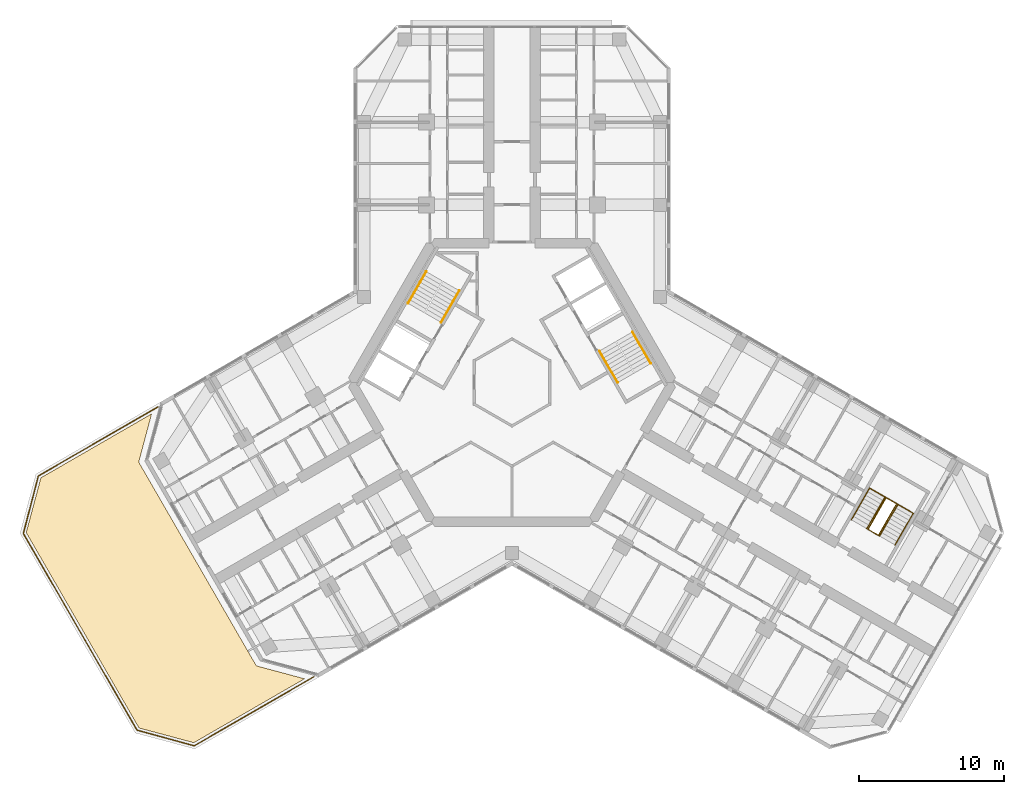
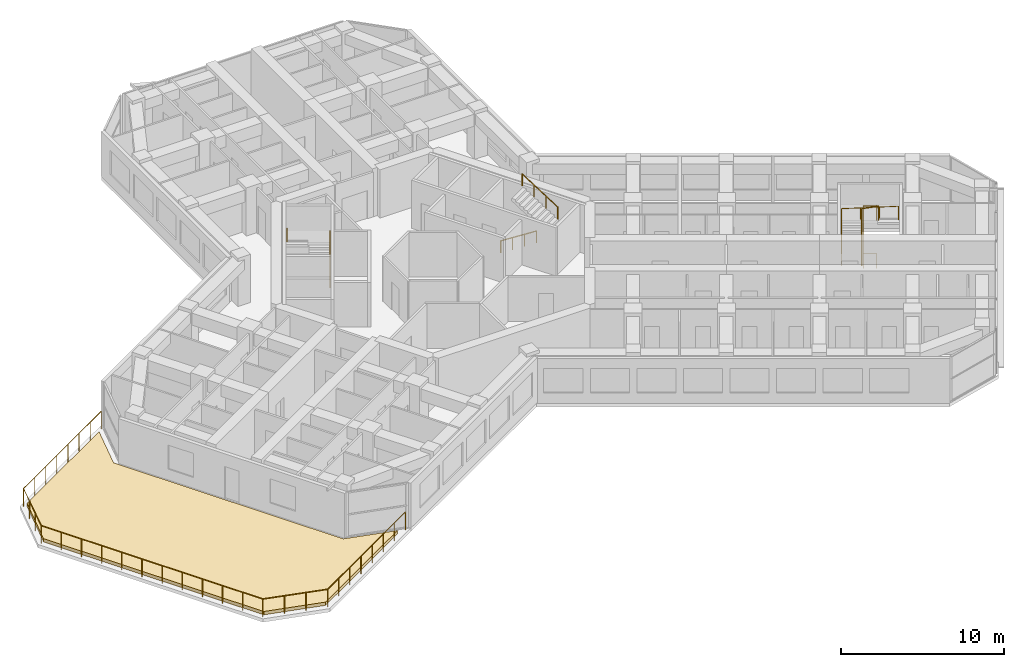
# One storey, part 17 of 17: 8 railings, 1 covering.
"""IFC4 building model written with IfcOpenShell, lengths in metres."""

from ifc_helpers import new_model, si_unit, direction, frame, origin, origin_2d, place, context, subcontext, project, spatial, polyline, circle, outline, extrude, material, layer, layer_set, type_object, element, save


model = new_model("IFC4")

# Units and contexts
model_context = context("Model", 3, precision=1e-05, world=origin(), true_north=direction((0.0, 1.0)))
body_context = subcontext(model_context, "Body", "Model", "MODEL_VIEW")
ifc_project = project(units=[si_unit("LENGTHUNIT", "METRE"), si_unit("AREAUNIT", "SQUARE_METRE"), si_unit("VOLUMEUNIT", "CUBIC_METRE"), si_unit("PLANEANGLEUNIT", "RADIAN"), si_unit("MASSUNIT", "GRAM", prefix="KILO")], contexts=[model_context])

# Site, building, storey
site_placement = place(None, origin())
site = spatial("IfcSite", under=ifc_project, at=site_placement, CompositionType="ELEMENT")
building_placement = place(site_placement, origin())
building = spatial("IfcBuilding", under=site, at=building_placement, Name="Kosmar Iwan School Tower", CompositionType="ELEMENT")
storey_placement = place(building_placement, frame((0.0, 0.0, 193.800048828125)))
storey = spatial("IfcBuildingStorey", under=building, at=storey_placement, Name="L48", CompositionType="ELEMENT", Elevation=193.800048828125)

# Covering
ifc_material_1 = material(Name="Insulated roofing membrane")
ifc_layer = layer(ifc_material_1, 0.25)
ifc_layer_set = layer_set([ifc_layer], Name="Roof membrane and insulation")
covering_type = type_object("IfcCoveringType", Name="Roof membrane and insulation", PredefinedType="ROOFING", material=ifc_layer_set)
covering_placement = place(storey_placement, origin())
element("IfcCovering", 1, at=covering_placement, inside=storey, type_object=covering_type, Name="Maintenance roof paving and insulation wing B", PredefinedType="ROOFING", context=body_context, shape_type="SweptSolid", body=[
    extrude(outline(polyline([(-21.947998046875, -24.853759765625), (-14.310791015625, -20.4443359375), (-17.635986328125, -19.553466796875), (-25.751708984375, -5.49658203125), (-24.86083984375, -2.17138671875), (-32.497802734375, -6.58056640625), (-33.51025390625, -10.358642578125), (-25.725830078125, -23.84130859375), (-21.947998046875, -24.853759765625)])), origin(), (0.0, 0.0, 1.0), 0.25),
])

# Railings
ifc_material_2 = material(Name="Black steel", Category="steel")
railing_type_1 = type_object("IfcRailingType", Name="Stair handrail 900", PredefinedType="HANDRAIL", material=ifc_material_2)
railing_1_placement = place(storey_placement, frame((-4.89453125, 4.142333984375, 0.179931640625)))
element("IfcRailing", 2, at=railing_1_placement, inside=storey, type_object=railing_type_1, Name="Handrail ST2 flight 1", PredefinedType="HANDRAIL", context=body_context, shape_type="SweptSolid", body=[
    extrude(circle(Radius=0.02392578125, at=origin_2d()), frame((0.0, 0.0, 0.8759765625), z_axis=(0.420584145978, 0.728463801763, 0.540785970299), x_axis=(-0.866022637375, 0.500004791531, 0.0)), (0.0, 0.0, 1.0), 2.995849609375),
    extrude(circle(Radius=0.02099609375, at=origin_2d()), origin(), (0.0, 0.0, 1.0), 0.851806640625),
    extrude(circle(Radius=0.02099609375, at=origin_2d()), frame((0.419921875, 0.7275390625, 0.5400390625)), (0.0, 0.0, 1.0), 0.851806640625),
    extrude(circle(Radius=0.02099609375, at=origin_2d()), frame((0.840087890625, 1.454833984375, 1.080078125)), (0.0, 0.0, 1.0), 0.851806640625),
    extrude(circle(Radius=0.02099609375, at=origin_2d()), frame((1.260009765625, 2.182373046875, 1.6201171875)), (0.0, 0.0, 1.0), 0.851806640625),
])
railing_2_placement = place(storey_placement, frame((-5.912353515625, 7.6396484375, 1.97998046875)))
element("IfcRailing", 3, at=railing_2_placement, inside=storey, type_object=railing_type_1, Name="Handrail ST2 flight 2", PredefinedType="HANDRAIL", context=body_context, shape_type="SweptSolid", body=[
    extrude(circle(Radius=0.02392578125, at=origin_2d()), frame((0.0, 0.0, 0.8759765625), z_axis=(-0.42060268101, -0.72849590497, 0.54072830624), x_axis=(0.866022637375, -0.500004791531, 0.0)), (0.0, 0.0, 1.0), 2.99560546875),
    extrude(circle(Radius=0.02099609375, at=origin_2d()), origin(), (0.0, 0.0, 1.0), 0.851806640625),
    extrude(circle(Radius=0.02099609375, at=origin_2d()), frame((-0.419921875, -0.7275390625, 0.5400390625)), (0.0, 0.0, 1.0), 0.851806640625),
    extrude(circle(Radius=0.02099609375, at=origin_2d()), frame((-0.840087890625, -1.454833984375, 1.079833984375)), (0.0, 0.0, 1.0), 0.851806640625),
    extrude(circle(Radius=0.02099609375, at=origin_2d()), frame((-1.260009765625, -2.182373046875, 1.619873046875)), (0.0, 0.0, 1.0), 0.851806640625),
])
railing_3_placement = place(storey_placement, frame((6.03466796875, 2.167724609375, 0.179931640625)))
element("IfcRailing", 4, at=railing_3_placement, inside=storey, type_object=railing_type_1, Name="Handrail ST1 flight 1", PredefinedType="HANDRAIL", context=body_context, shape_type="SweptSolid", body=[
    extrude(circle(Radius=0.02392578125, at=origin_2d()), frame((0.0, 0.0, 0.8759765625), z_axis=(0.420584145978, -0.728463801763, 0.540785970299), x_axis=(0.866022637375, 0.500004791531, 0.0)), (0.0, 0.0, 1.0), 2.995849609375),
    extrude(circle(Radius=0.02099609375, at=origin_2d()), origin(), (0.0, 0.0, 1.0), 0.851806640625),
    extrude(circle(Radius=0.02099609375, at=origin_2d()), frame((0.419921875, -0.7275390625, 0.5400390625)), (0.0, 0.0, 1.0), 0.851806640625),
    extrude(circle(Radius=0.02099609375, at=origin_2d()), frame((0.840087890625, -1.454833984375, 1.080078125)), (0.0, 0.0, 1.0), 0.851806640625),
    extrude(circle(Radius=0.02099609375, at=origin_2d()), frame((1.260009765625, -2.182373046875, 1.6201171875)), (0.0, 0.0, 1.0), 0.851806640625),
])
railing_4_placement = place(storey_placement, frame((9.572265625, 1.30029296875, 1.97998046875)))
element("IfcRailing", 5, at=railing_4_placement, inside=storey, type_object=railing_type_1, Name="Handrail ST1 flight 2", PredefinedType="HANDRAIL", context=body_context, shape_type="SweptSolid", body=[
    extrude(circle(Radius=0.02392578125, at=origin_2d()), frame((0.0, 0.0, 0.8759765625), z_axis=(-0.42060268101, 0.72849590497, 0.54072830624), x_axis=(-0.866022637375, -0.500004791531, 0.0)), (0.0, 0.0, 1.0), 2.99560546875),
    extrude(circle(Radius=0.02099609375, at=origin_2d()), origin(), (0.0, 0.0, 1.0), 0.851806640625),
    extrude(circle(Radius=0.02099609375, at=origin_2d()), frame((-0.419921875, 0.7275390625, 0.5400390625)), (0.0, 0.0, 1.0), 0.851806640625),
    extrude(circle(Radius=0.02099609375, at=origin_2d()), frame((-0.840087890625, 1.454833984375, 1.079833984375)), (0.0, 0.0, 1.0), 0.851806640625),
    extrude(circle(Radius=0.02099609375, at=origin_2d()), frame((-1.260009765625, 2.182373046875, 1.619873046875)), (0.0, 0.0, 1.0), 0.851806640625),
])
railing_5_placement = place(storey_placement, frame((23.4091796875, -9.473876953125, 0.179931640625)))
element("IfcRailing", 6, at=railing_5_placement, inside=storey, type_object=railing_type_1, Name="Handrail stair WS3 L48 wall side", PredefinedType="HANDRAIL", context=body_context, shape_type="SweptSolid", body=[
    extrude(circle(Radius=0.02392578125, at=origin_2d()), frame((0.0, 0.0, 0.8759765625), z_axis=(0.420584145978, 0.728463801763, 0.540785970299), x_axis=(-0.866022637375, 0.500004791531, 0.0)), (0.0, 0.0, 1.0), 2.995849609375),
    extrude(circle(Radius=0.02392578125, at=origin_2d()), frame((1.260009765625, 2.182373046875, 2.49609375), z_axis=(0.864882007433, -0.499312601618, 0.051633701051), x_axis=(0.499979528911, 0.866037222451, 0.0)), (0.0, 0.0, 1.0), 3.48486328125),
    extrude(circle(Radius=0.02392578125, at=origin_2d()), frame((4.27392578125, 0.4423828125, 2.67578125), z_axis=(-0.42060268101, -0.72849590497, 0.54072830624), x_axis=(0.866022637375, -0.500004791531, 0.0)), (0.0, 0.0, 1.0), 2.99560546875),
    extrude(circle(Radius=0.02099609375, at=origin_2d()), origin(), (0.0, 0.0, 1.0), 0.851806640625),
    extrude(circle(Radius=0.02099609375, at=origin_2d()), frame((0.419921875, 0.7275390625, 0.5400390625)), (0.0, 0.0, 1.0), 0.851806640625),
    extrude(circle(Radius=0.02099609375, at=origin_2d()), frame((0.840087890625, 1.454833984375, 1.080078125)), (0.0, 0.0, 1.0), 0.851806640625),
    extrude(circle(Radius=0.02099609375, at=origin_2d()), frame((1.260009765625, 2.182373046875, 1.6201171875)), (0.0, 0.0, 1.0), 0.851806640625),
    extrude(circle(Radius=0.02099609375, at=origin_2d()), frame((2.2646484375, 1.602294921875, 1.68017578125)), (0.0, 0.0, 1.0), 0.851806640625),
    extrude(circle(Radius=0.02099609375, at=origin_2d()), frame((3.269287109375, 1.0224609375, 1.739990234375)), (0.0, 0.0, 1.0), 0.851806640625),
    extrude(circle(Radius=0.02099609375, at=origin_2d()), frame((4.27392578125, 0.4423828125, 1.800048828125)), (0.0, 0.0, 1.0), 0.851806640625),
    extrude(circle(Radius=0.02099609375, at=origin_2d()), frame((3.85400390625, -0.28515625, 2.340087890625)), (0.0, 0.0, 1.0), 0.851806640625),
    extrude(circle(Radius=0.02099609375, at=origin_2d()), frame((3.433837890625, -1.012451171875, 2.8798828125)), (0.0, 0.0, 1.0), 0.851806640625),
    extrude(circle(Radius=0.02099609375, at=origin_2d()), frame((3.013916015625, -1.739990234375, 3.419921875)), (0.0, 0.0, 1.0), 0.851806640625),
])
railing_6_placement = place(storey_placement, frame((24.474609375, -10.0888671875, 0.179931640625)))
element("IfcRailing", 7, at=railing_6_placement, inside=storey, type_object=railing_type_1, Name="Handrail stair WS3 L48 well side", PredefinedType="HANDRAIL", context=body_context, shape_type="SweptSolid", body=[
    extrude(circle(Radius=0.02392578125, at=origin_2d()), frame((0.0, 0.0, 0.8759765625), z_axis=(0.420584145978, 0.728463801763, 0.540785970299), x_axis=(-0.866022637375, 0.500004791531, 0.0)), (0.0, 0.0, 1.0), 2.995849609375),
    extrude(circle(Radius=0.02392578125, at=origin_2d()), frame((1.260009765625, 2.182373046875, 2.49609375), z_axis=(0.852841519511, -0.492422867401, 0.173726976197), x_axis=(0.500026340207, 0.866010195725, 0.0)), (0.0, 0.0, 1.0), 1.03564453125),
    extrude(circle(Radius=0.02392578125, at=origin_2d()), frame((2.143310546875, 1.67236328125, 2.67578125), z_axis=(-0.42060268101, -0.72849590497, 0.54072830624), x_axis=(0.866022637375, -0.500004791531, 0.0)), (0.0, 0.0, 1.0), 2.99560546875),
    extrude(circle(Radius=0.02099609375, at=origin_2d()), origin(), (0.0, 0.0, 1.0), 0.851806640625),
    extrude(circle(Radius=0.02099609375, at=origin_2d()), frame((0.419921875, 0.7275390625, 0.5400390625)), (0.0, 0.0, 1.0), 0.851806640625),
    extrude(circle(Radius=0.02099609375, at=origin_2d()), frame((0.840087890625, 1.454833984375, 1.080078125)), (0.0, 0.0, 1.0), 0.851806640625),
    extrude(circle(Radius=0.02099609375, at=origin_2d()), frame((1.260009765625, 2.182373046875, 1.6201171875)), (0.0, 0.0, 1.0), 0.851806640625),
    extrude(circle(Radius=0.02099609375, at=origin_2d()), frame((2.143310546875, 1.67236328125, 1.800048828125)), (0.0, 0.0, 1.0), 0.851806640625),
    extrude(circle(Radius=0.02099609375, at=origin_2d()), frame((1.723388671875, 0.94482421875, 2.340087890625)), (0.0, 0.0, 1.0), 0.851806640625),
    extrude(circle(Radius=0.02099609375, at=origin_2d()), frame((1.30322265625, 0.217529296875, 2.8798828125)), (0.0, 0.0, 1.0), 0.851806640625),
    extrude(circle(Radius=0.02099609375, at=origin_2d()), frame((0.88330078125, -0.510009765625, 3.419921875)), (0.0, 0.0, 1.0), 0.851806640625),
])
ifc_material_3 = material(Name="Black steel", Category="steel")
railing_type_2 = type_object("IfcRailingType", Name="Stair well guard 1100", PredefinedType="GUARDRAIL", material=ifc_material_3)
railing_7_placement = place(storey_placement, frame((25.280029296875, -10.553955078125, 0.0)))
element("IfcRailing", 8, at=railing_7_placement, inside=storey, type_object=railing_type_2, Name="Stair WS3 L48 well guard", PredefinedType="GUARDRAIL", context=body_context, shape_type="SweptSolid", body=[
    extrude(circle(Radius=0.02392578125, at=origin_2d()), frame((0.0, 0.0, 1.076171875), z_axis=(-0.865962960534, 0.500108139288, 0.0), x_axis=(-0.500108139288, -0.865962960534, 0.0)), (0.0, 0.0, 1.0), 0.840087890625),
    extrude(circle(Radius=0.02392578125, at=origin_2d()), frame((-0.7275390625, 0.420166015625, 1.076171875), z_axis=(0.40686665399, 0.704704712268, 0.58124933925), x_axis=(-0.866022637375, 0.500004791531, 0.0)), (0.0, 0.0, 1.0), 3.096923828125),
    extrude(circle(Radius=0.02392578125, at=origin_2d()), frame((0.532470703125, 2.6025390625, 2.8759765625), z_axis=(0.865890253765, -0.500234013672, 0.0), x_axis=(0.500234013672, 0.865890253765, 0.0)), (0.0, 0.0, 1.0), 0.83984375),
    extrude(circle(Radius=0.02392578125, at=origin_2d()), frame((1.259765625, 2.182373046875, 2.8759765625), z_axis=(-0.406819508263, -0.704759609372, 0.581215778084), x_axis=(0.866064587494, -0.499932125682, 0.0)), (0.0, 0.0, 1.0), 3.0966796875),
    extrude(circle(Radius=0.02099609375, at=origin_2d()), origin(), (0.0, 0.0, 1.0), 1.052001953125),
    extrude(circle(Radius=0.02099609375, at=origin_2d()), frame((-0.7275390625, 0.420166015625, 0.0)), (0.0, 0.0, 1.0), 1.052001953125),
    extrude(circle(Radius=0.02099609375, at=origin_2d()), frame((-0.3076171875, 1.147705078125, 0.60009765625)), (0.0, 0.0, 1.0), 1.052001953125),
    extrude(circle(Radius=0.02099609375, at=origin_2d()), frame((0.112548828125, 1.875, 1.199951171875)), (0.0, 0.0, 1.0), 1.052001953125),
    extrude(circle(Radius=0.02099609375, at=origin_2d()), frame((0.532470703125, 2.6025390625, 1.800048828125)), (0.0, 0.0, 1.0), 1.052001953125),
    extrude(circle(Radius=0.02099609375, at=origin_2d()), frame((1.259765625, 2.182373046875, 1.800048828125)), (0.0, 0.0, 1.0), 1.052001953125),
    extrude(circle(Radius=0.02099609375, at=origin_2d()), frame((0.83984375, 1.454833984375, 2.39990234375)), (0.0, 0.0, 1.0), 1.052001953125),
    extrude(circle(Radius=0.02099609375, at=origin_2d()), frame((0.419921875, 0.7275390625, 3.0)), (0.0, 0.0, 1.0), 1.052001953125),
    extrude(circle(Radius=0.02099609375, at=origin_2d()), frame((0.0, 0.0, 3.599853515625)), (0.0, 0.0, 1.0), 1.052001953125),
])
ifc_material_4 = material(Name="Black steel and glass", Category="steel")
railing_type_3 = type_object("IfcRailingType", Name="Terrace guard 1350", PredefinedType="GUARDRAIL", material=ifc_material_4)
railing_8_placement = place(storey_placement, frame((-13.677490234375, -20.309814453125, 0.0)))
element("IfcRailing", 9, at=railing_8_placement, inside=storey, type_object=railing_type_3, Name="Roof edge guard wing B", PredefinedType="GUARDRAIL", context=body_context, shape_type="SweptSolid", body=[
    extrude(circle(Radius=0.02392578125, at=origin_2d()), frame((0.0, 0.0, 1.326171875), z_axis=(-0.86602923695, -0.499993360704, 0.0), x_axis=(0.499993360704, -0.86602923695, 0.0)), (0.0, 0.0, 1.0), 9.517333984375),
    extrude(circle(Radius=0.02392578125, at=origin_2d()), frame((-8.2421875, -4.758544921875, 1.326171875), z_axis=(-0.964372615609, 0.264547648381, 0.0), x_axis=(-0.264547648381, -0.964372615609, 0.0)), (0.0, 0.0, 1.0), 4.10107421875),
    extrude(circle(Radius=0.02392578125, at=origin_2d()), frame((-12.197265625, -3.673583984375, 1.326171875), z_axis=(-0.500007545224, 0.866021047503, 0.0), x_axis=(-0.866021047503, -0.500007545224, 0.0)), (0.0, 0.0, 1.0), 15.665771484375),
    extrude(circle(Radius=0.02392578125, at=origin_2d()), frame((-20.0302734375, 9.893310546875, 1.326171875), z_axis=(0.253110031977, 0.967437497574, 0.0), x_axis=(-0.967437497574, 0.253110031977, 0.0)), (0.0, 0.0, 1.0), 4.101318359375),
    extrude(circle(Radius=0.02392578125, at=origin_2d()), frame((-18.9921875, 13.861083984375, 1.326171875), z_axis=(0.86602923695, 0.499993360704, 0.0), x_axis=(-0.499993360704, 0.86602923695, 0.0)), (0.0, 0.0, 1.0), 9.517333984375),
    extrude(circle(Radius=0.02099609375, at=origin_2d()), origin(), (0.0, 0.0, 1.0), 1.302001953125),
    extrude(circle(Radius=0.02099609375, at=origin_2d()), frame((-1.177490234375, -0.6796875, 0.0)), (0.0, 0.0, 1.0), 1.302001953125),
    extrude(circle(Radius=0.02099609375, at=origin_2d()), frame((-2.35498046875, -1.359619140625, 0.0)), (0.0, 0.0, 1.0), 1.302001953125),
    extrude(circle(Radius=0.02099609375, at=origin_2d()), frame((-3.532470703125, -2.039306640625, 0.0)), (0.0, 0.0, 1.0), 1.302001953125),
    extrude(circle(Radius=0.02099609375, at=origin_2d()), frame((-4.709716796875, -2.71923828125, 0.0)), (0.0, 0.0, 1.0), 1.302001953125),
    extrude(circle(Radius=0.02099609375, at=origin_2d()), frame((-5.88720703125, -3.39892578125, 0.0)), (0.0, 0.0, 1.0), 1.302001953125),
    extrude(circle(Radius=0.02099609375, at=origin_2d()), frame((-7.064697265625, -4.078857421875, 0.0)), (0.0, 0.0, 1.0), 1.302001953125),
    extrude(circle(Radius=0.02099609375, at=origin_2d()), frame((-8.2421875, -4.758544921875, 0.0)), (0.0, 0.0, 1.0), 1.302001953125),
    extrude(circle(Radius=0.02099609375, at=origin_2d()), frame((-9.560546875, -4.39697265625, 0.0)), (0.0, 0.0, 1.0), 1.302001953125),
    extrude(circle(Radius=0.02099609375, at=origin_2d()), frame((-10.87890625, -4.03515625, 0.0)), (0.0, 0.0, 1.0), 1.302001953125),
    extrude(circle(Radius=0.02099609375, at=origin_2d()), frame((-12.197265625, -3.673583984375, 0.0)), (0.0, 0.0, 1.0), 1.302001953125),
    extrude(circle(Radius=0.02099609375, at=origin_2d()), frame((-12.909423828125, -2.440185546875, 0.0)), (0.0, 0.0, 1.0), 1.302001953125),
    extrude(circle(Radius=0.02099609375, at=origin_2d()), frame((-13.621337890625, -1.206787109375, 0.0)), (0.0, 0.0, 1.0), 1.302001953125),
    extrude(circle(Radius=0.02099609375, at=origin_2d()), frame((-14.33349609375, 0.0263671875, 0.0)), (0.0, 0.0, 1.0), 1.302001953125),
    extrude(circle(Radius=0.02099609375, at=origin_2d()), frame((-15.045654296875, 1.259765625, 0.0)), (0.0, 0.0, 1.0), 1.302001953125),
    extrude(circle(Radius=0.02099609375, at=origin_2d()), frame((-15.7578125, 2.4931640625, 0.0)), (0.0, 0.0, 1.0), 1.302001953125),
    extrude(circle(Radius=0.02099609375, at=origin_2d()), frame((-16.4697265625, 3.7265625, 0.0)), (0.0, 0.0, 1.0), 1.302001953125),
    extrude(circle(Radius=0.02099609375, at=origin_2d()), frame((-17.181884765625, 4.9599609375, 0.0)), (0.0, 0.0, 1.0), 1.302001953125),
    extrude(circle(Radius=0.02099609375, at=origin_2d()), frame((-17.89404296875, 6.193359375, 0.0)), (0.0, 0.0, 1.0), 1.302001953125),
    extrude(circle(Radius=0.02099609375, at=origin_2d()), frame((-18.606201171875, 7.426513671875, 0.0)), (0.0, 0.0, 1.0), 1.302001953125),
    extrude(circle(Radius=0.02099609375, at=origin_2d()), frame((-19.318115234375, 8.659912109375, 0.0)), (0.0, 0.0, 1.0), 1.302001953125),
    extrude(circle(Radius=0.02099609375, at=origin_2d()), frame((-20.0302734375, 9.893310546875, 0.0)), (0.0, 0.0, 1.0), 1.302001953125),
    extrude(circle(Radius=0.02099609375, at=origin_2d()), frame((-19.684326171875, 11.2158203125, 0.0)), (0.0, 0.0, 1.0), 1.302001953125),
    extrude(circle(Radius=0.02099609375, at=origin_2d()), frame((-19.338134765625, 12.53857421875, 0.0)), (0.0, 0.0, 1.0), 1.302001953125),
    extrude(circle(Radius=0.02099609375, at=origin_2d()), frame((-18.9921875, 13.861083984375, 0.0)), (0.0, 0.0, 1.0), 1.302001953125),
    extrude(circle(Radius=0.02099609375, at=origin_2d()), frame((-17.814697265625, 14.540771484375, 0.0)), (0.0, 0.0, 1.0), 1.302001953125),
    extrude(circle(Radius=0.02099609375, at=origin_2d()), frame((-16.63720703125, 15.220703125, 0.0)), (0.0, 0.0, 1.0), 1.302001953125),
    extrude(circle(Radius=0.02099609375, at=origin_2d()), frame((-15.459716796875, 15.900390625, 0.0)), (0.0, 0.0, 1.0), 1.302001953125),
    extrude(circle(Radius=0.02099609375, at=origin_2d()), frame((-14.282470703125, 16.580322265625, 0.0)), (0.0, 0.0, 1.0), 1.302001953125),
    extrude(circle(Radius=0.02099609375, at=origin_2d()), frame((-13.10498046875, 17.260009765625, 0.0)), (0.0, 0.0, 1.0), 1.302001953125),
    extrude(circle(Radius=0.02099609375, at=origin_2d()), frame((-11.927490234375, 17.93994140625, 0.0)), (0.0, 0.0, 1.0), 1.302001953125),
    extrude(circle(Radius=0.02099609375, at=origin_2d()), frame((-10.75, 18.61962890625, 0.0)), (0.0, 0.0, 1.0), 1.302001953125),
])

save(model, "model.ifc")
